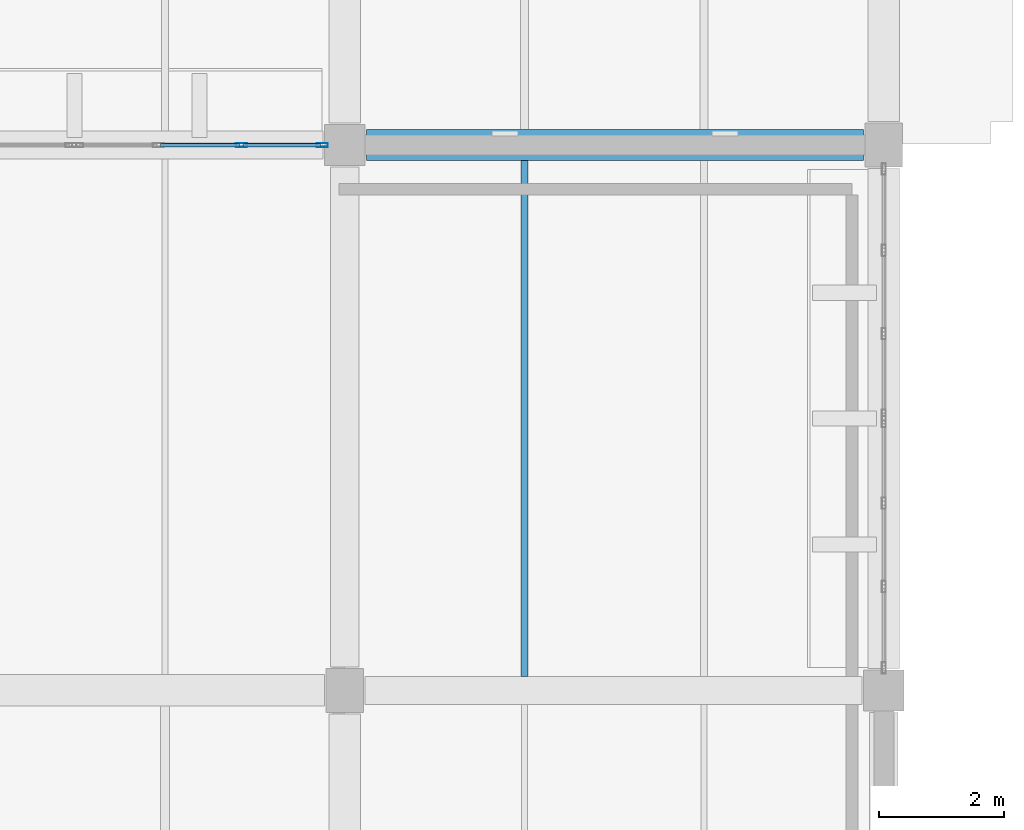
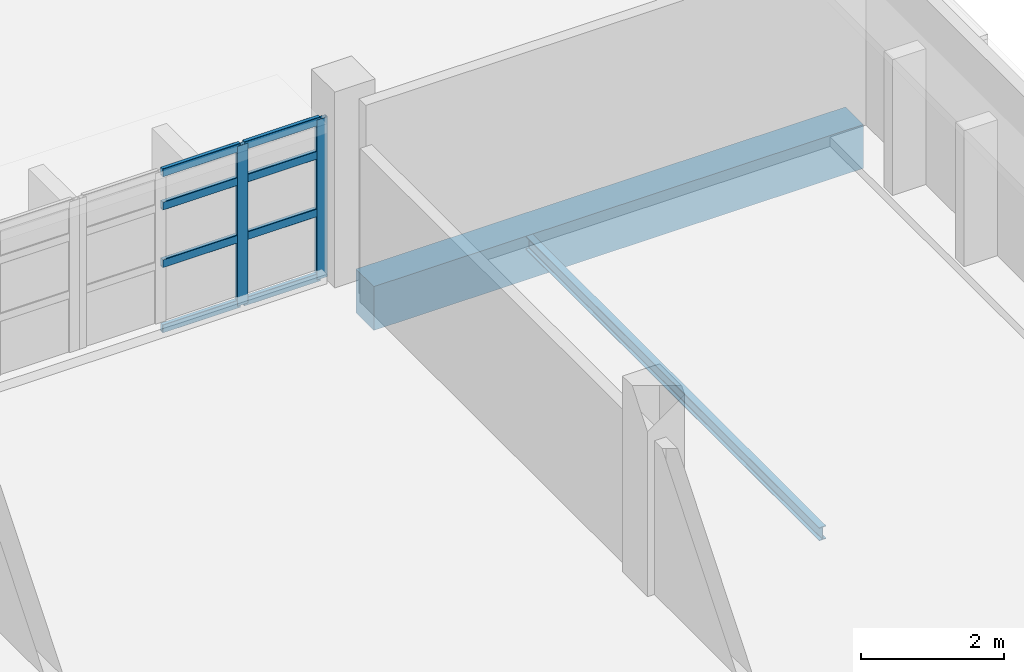
# One storey, part 62 of 93: 10 members, 2 beams, 1 element without a shape of its own.
"""IFC4 building model written with IfcOpenShell, lengths in metres."""

from ifc_helpers import new_model, si_unit, direction, frame, origin, origin_2d, place, context, subcontext, project, spatial, rectangle, hollow_rectangle, i_section, extrude, material, material_profile, profile_set, type_object, element, aggregate, save


model = new_model("IFC4")

# Units and contexts
model_context = context("Model", 3, precision=1e-05, world=origin(), true_north=direction((0.0, 1.0)))
body_context = subcontext(model_context, "Body", "Model", "MODEL_VIEW")
ifc_project = project(units=[si_unit("LENGTHUNIT", "METRE"), si_unit("AREAUNIT", "SQUARE_METRE"), si_unit("VOLUMEUNIT", "CUBIC_METRE"), si_unit("PLANEANGLEUNIT", "RADIAN"), si_unit("MASSUNIT", "GRAM", prefix="KILO")], contexts=[model_context])

# Site, building, storey
site_placement = place(None, origin())
site = spatial("IfcSite", under=ifc_project, at=site_placement, CompositionType="ELEMENT")
building_placement = place(site_placement, origin())
building = spatial("IfcBuilding", under=site, at=building_placement, Name="Varnakota Cinema and Media Centre", CompositionType="ELEMENT")
storey_placement = place(building_placement, frame((0.0, 0.0, 12.0)))
storey = spatial("IfcBuildingStorey", under=building, at=storey_placement, Name="L03", CompositionType="ELEMENT", Elevation=12.0)

# Beams
ifc_material_1 = material(Name="Concrete M35", Category="concrete")
ifc_material_profile_1 = material_profile(ifc_material_1, rectangle(XDim=0.5, YDim=0.75, at=origin_2d()), Name="RCB 500x750")
ifc_profile_set_1 = profile_set([ifc_material_profile_1], Name="Concrete M35")
beam_type_1 = type_object("IfcBeamType", Name="BM-RC-500x750", PredefinedType="BEAM", material=ifc_profile_set_1)
beam_1_placement = place(storey_placement, frame((26.14990234375, 78.199951171875, -0.635009765625), z_axis=(1.0, 0.0, 0.0), x_axis=(0.0, 1.0, 0.0)))
element("IfcBeam", 1, at=beam_1_placement, inside=storey, type_object=beam_type_1, Name="L03 girder D-E/10", PredefinedType="BEAM", context=body_context, shape_type="SweptSolid", body=[
    extrude(rectangle(XDim=0.5, YDim=0.75, at=origin_2d()), origin(), (0.0, 0.0, 1.0), 7.925048828125),
])
ifc_material_2 = material(Name="Structural steel Grade 350 (E350)", Category="steel")
ifc_material_profile_2 = material_profile(ifc_material_2, i_section(OverallWidth=0.110107421875, OverallDepth=0.22509765625, WebThickness=0.006591796875, FlangeThickness=0.01171875, FilletRadius=0.011962890625, at=origin_2d()), Name="ISMB 225")
ifc_profile_set_2 = profile_set([ifc_material_profile_2], Name="Structural steel Grade 350 (E350)")
beam_type_2 = type_object("IfcBeamType", Name="BM-ST-ISMB225", PredefinedType="JOIST", material=ifc_profile_set_2)
beam_2_placement = place(storey_placement, frame((28.666748046875, 69.72509765625, -0.37255859375), z_axis=(0.0, 1.0, 0.0), x_axis=(-1.0, 0.0, 0.0)))
element("IfcBeam", 2, at=beam_2_placement, inside=storey, type_object=beam_type_2, Name="L03 steel joist D-E/9-10 #1", PredefinedType="JOIST", context=body_context, shape_type="SweptSolid", body=[
    extrude(i_section(OverallWidth=0.110107421875, OverallDepth=0.22509765625, WebThickness=0.006591796875, FlangeThickness=0.01171875, FilletRadius=0.011962890625, at=origin_2d()), origin(), (0.0, 0.0, 1.0), 8.224853515625),
])

# Curtain wall, members
ifc_material_3 = material(Name="Thermally broken anodised aluminium AW-6063", Category="aluminium")
curtain_wall_type = type_object("IfcCurtainWallType", Name="CW-STD-397x274", PredefinedType="USERDEFINED", material=ifc_material_3)
curtain_wall_placement = place(storey_placement, origin())
curtain_wall = element("IfcCurtainWall", 3, at=curtain_wall_placement, inside=storey, type_object=curtain_wall_type, Name="L03 curtain wall CW-L03-V5-N-03-2", ObjectType="UNITISED CURTAIN WALL", PredefinedType="USERDEFINED")
ifc_material_4 = material(Name="Thermally broken anodised aluminium AW-6063", Category="aluminium")
ifc_material_profile_3 = material_profile(ifc_material_4, hollow_rectangle(XDim=0.06494140625, YDim=0.179931640625, WallThickness=0.00390625, InnerFilletRadius=0.00390625, OuterFilletRadius=0.008056640625, at=origin_2d()), Name="AL-MULLION 180x65x4")
ifc_profile_set_3 = profile_set([ifc_material_profile_3], Name="Thermally broken anodised aluminium AW-6063")
member_type_1 = type_object("IfcMemberType", Name="CWM-AL-180", PredefinedType="MULLION", material=ifc_profile_set_3)
member_1_placement = place(storey_placement, frame((24.152587890625, 78.199951171875, 0.0), z_axis=(0.0, 0.0, 1.0), x_axis=(0.0, 1.0, 0.0)))
member_1 = element("IfcMember", 4, at=member_1_placement, type_object=member_type_1, Name="CW45 mullion 3", PredefinedType="MULLION", context=body_context, shape_type="SweptSolid", body=[
    extrude(hollow_rectangle(XDim=0.06494140625, YDim=0.179931640625, WallThickness=0.00390625, InnerFilletRadius=0.00390625, OuterFilletRadius=0.008056640625, at=origin_2d()), origin(), (0.0, 0.0, 1.0), 2.735107421875),
])
member_2_placement = place(storey_placement, frame((25.4423828125, 78.199951171875, 0.0), z_axis=(0.0, 0.0, 1.0), x_axis=(0.0, 1.0, 0.0)))
member_2 = element("IfcMember", 5, at=member_2_placement, type_object=member_type_1, Name="CW45 mullion 4", PredefinedType="MULLION", context=body_context, shape_type="SweptSolid", body=[
    extrude(hollow_rectangle(XDim=0.06494140625, YDim=0.179931640625, WallThickness=0.00390625, InnerFilletRadius=0.00390625, OuterFilletRadius=0.008056640625, at=origin_2d()), origin(), (0.0, 0.0, 1.0), 2.735107421875),
])
ifc_material_5 = material(Name="Thermally broken anodised aluminium AW-6063", Category="aluminium")
ifc_material_profile_4 = material_profile(ifc_material_5, hollow_rectangle(XDim=0.06494140625, YDim=0.139892578125, WallThickness=0.00390625, InnerFilletRadius=0.00390625, OuterFilletRadius=0.008056640625, at=origin_2d()), Name="AL-TRANSOM 140x65x4")
ifc_profile_set_4 = profile_set([ifc_material_profile_4], Name="Thermally broken anodised aluminium AW-6063")
member_type_2 = type_object("IfcMemberType", Name="CWT-AL-140", PredefinedType="USERDEFINED", material=ifc_profile_set_4)
member_3_placement = place(storey_placement, frame((22.862548828125, 78.199951171875, 0.032470703125), z_axis=(1.0, 0.0, 0.0), x_axis=(0.0, 1.0, 0.0)))
member_3 = element("IfcMember", 6, at=member_3_placement, type_object=member_type_2, Name="CW45 transom 2.1", ObjectType="TRANSOM", PredefinedType="USERDEFINED", context=body_context, shape_type="SweptSolid", body=[
    extrude(hollow_rectangle(XDim=0.06494140625, YDim=0.139892578125, WallThickness=0.00390625, InnerFilletRadius=0.00390625, OuterFilletRadius=0.008056640625, at=origin_2d()), origin(), (0.0, 0.0, 1.0), 1.257568359375),
])
member_4_placement = place(storey_placement, frame((22.862548828125, 78.199951171875, 1.148681640625), z_axis=(1.0, 0.0, 0.0), x_axis=(0.0, 1.0, 0.0)))
member_4 = element("IfcMember", 7, at=member_4_placement, type_object=member_type_2, Name="CW45 transom 2.2", ObjectType="TRANSOM", PredefinedType="USERDEFINED", context=body_context, shape_type="SweptSolid", body=[
    extrude(hollow_rectangle(XDim=0.06494140625, YDim=0.139892578125, WallThickness=0.00390625, InnerFilletRadius=0.00390625, OuterFilletRadius=0.008056640625, at=origin_2d()), origin(), (0.0, 0.0, 1.0), 1.257568359375),
])
member_5_placement = place(storey_placement, frame((22.862548828125, 78.199951171875, 2.13330078125), z_axis=(1.0, 0.0, 0.0), x_axis=(0.0, 1.0, 0.0)))
member_5 = element("IfcMember", 8, at=member_5_placement, type_object=member_type_2, Name="CW45 transom 2.3", ObjectType="TRANSOM", PredefinedType="USERDEFINED", context=body_context, shape_type="SweptSolid", body=[
    extrude(hollow_rectangle(XDim=0.06494140625, YDim=0.139892578125, WallThickness=0.00390625, InnerFilletRadius=0.00390625, OuterFilletRadius=0.008056640625, at=origin_2d()), origin(), (0.0, 0.0, 1.0), 1.257568359375),
])
member_6_placement = place(storey_placement, frame((22.862548828125, 78.199951171875, 2.702392578125), z_axis=(1.0, 0.0, 0.0), x_axis=(0.0, 1.0, 0.0)))
member_6 = element("IfcMember", 9, at=member_6_placement, type_object=member_type_2, Name="CW45 transom 2.4", ObjectType="TRANSOM", PredefinedType="USERDEFINED", context=body_context, shape_type="SweptSolid", body=[
    extrude(hollow_rectangle(XDim=0.06494140625, YDim=0.139892578125, WallThickness=0.00390625, InnerFilletRadius=0.00390625, OuterFilletRadius=0.008056640625, at=origin_2d()), origin(), (0.0, 0.0, 1.0), 1.257568359375),
])
member_7_placement = place(storey_placement, frame((24.18505859375, 78.199951171875, 0.032470703125), z_axis=(1.0, 0.0, 0.0), x_axis=(0.0, 1.0, 0.0)))
member_7 = element("IfcMember", 10, at=member_7_placement, type_object=member_type_2, Name="CW45 transom 3.1", ObjectType="TRANSOM", PredefinedType="USERDEFINED", context=body_context, shape_type="SweptSolid", body=[
    extrude(hollow_rectangle(XDim=0.06494140625, YDim=0.139892578125, WallThickness=0.00390625, InnerFilletRadius=0.00390625, OuterFilletRadius=0.008056640625, at=origin_2d()), origin(), (0.0, 0.0, 1.0), 1.224853515625),
])
member_8_placement = place(storey_placement, frame((24.18505859375, 78.199951171875, 1.148681640625), z_axis=(1.0, 0.0, 0.0), x_axis=(0.0, 1.0, 0.0)))
member_8 = element("IfcMember", 11, at=member_8_placement, type_object=member_type_2, Name="CW45 transom 3.2", ObjectType="TRANSOM", PredefinedType="USERDEFINED", context=body_context, shape_type="SweptSolid", body=[
    extrude(hollow_rectangle(XDim=0.06494140625, YDim=0.139892578125, WallThickness=0.00390625, InnerFilletRadius=0.00390625, OuterFilletRadius=0.008056640625, at=origin_2d()), origin(), (0.0, 0.0, 1.0), 1.224853515625),
])
member_9_placement = place(storey_placement, frame((24.18505859375, 78.199951171875, 2.13330078125), z_axis=(1.0, 0.0, 0.0), x_axis=(0.0, 1.0, 0.0)))
member_9 = element("IfcMember", 12, at=member_9_placement, type_object=member_type_2, Name="CW45 transom 3.3", ObjectType="TRANSOM", PredefinedType="USERDEFINED", context=body_context, shape_type="SweptSolid", body=[
    extrude(hollow_rectangle(XDim=0.06494140625, YDim=0.139892578125, WallThickness=0.00390625, InnerFilletRadius=0.00390625, OuterFilletRadius=0.008056640625, at=origin_2d()), origin(), (0.0, 0.0, 1.0), 1.224853515625),
])
member_10_placement = place(storey_placement, frame((24.18505859375, 78.199951171875, 2.702392578125), z_axis=(1.0, 0.0, 0.0), x_axis=(0.0, 1.0, 0.0)))
member_10 = element("IfcMember", 13, at=member_10_placement, type_object=member_type_2, Name="CW45 transom 3.4", ObjectType="TRANSOM", PredefinedType="USERDEFINED", context=body_context, shape_type="SweptSolid", body=[
    extrude(hollow_rectangle(XDim=0.06494140625, YDim=0.139892578125, WallThickness=0.00390625, InnerFilletRadius=0.00390625, OuterFilletRadius=0.008056640625, at=origin_2d()), origin(), (0.0, 0.0, 1.0), 1.224853515625),
])
aggregate(curtain_wall, [member_1, member_2, member_3, member_4, member_5, member_6, member_7, member_8, member_9, member_10])

save(model, "model.ifc")
